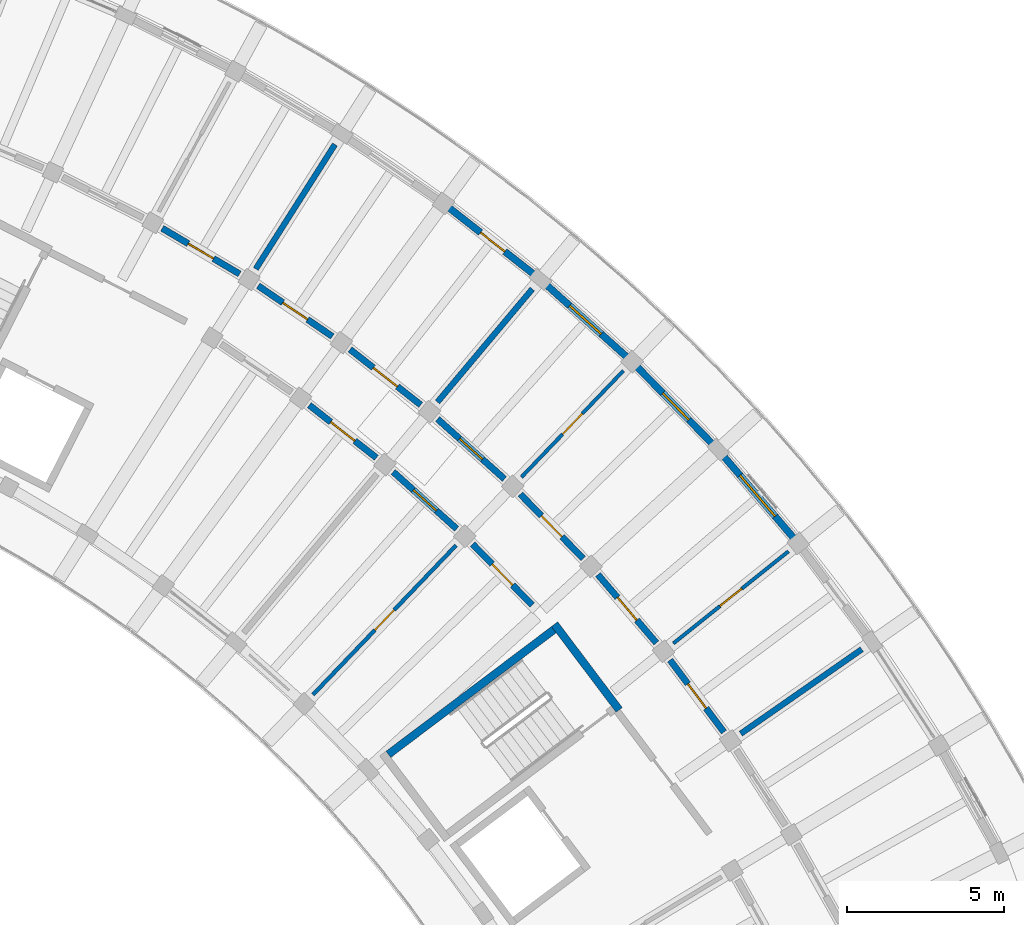
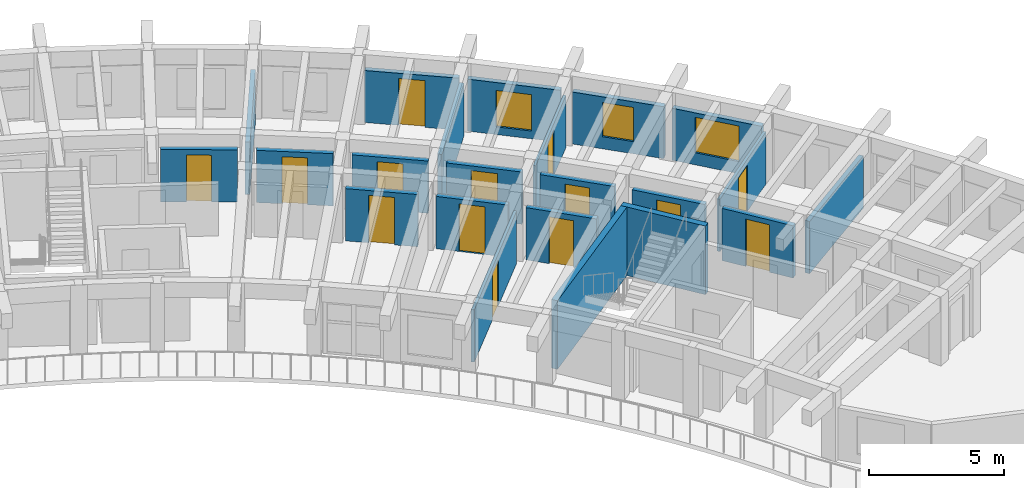
# One storey, part 24 of 36: 22 walls, 14 doors, 3 windows, 17 openings.
"""IFC4 building model written with IfcOpenShell, lengths in metres."""

from ifc_helpers import new_model, si_unit, direction, frame, frame_2d, origin, place, context, subcontext, project, spatial, rectangle, extrude, material, layer, layer_set, type_object, element, fill, save


model = new_model("IFC4")

# Units and contexts
model_context = context("Model", 3, precision=1e-05, world=origin(), true_north=direction((0.0, 1.0)))
body_context = subcontext(model_context, "Body", "Model", "MODEL_VIEW")
ifc_project = project(units=[si_unit("LENGTHUNIT", "METRE"), si_unit("AREAUNIT", "SQUARE_METRE"), si_unit("VOLUMEUNIT", "CUBIC_METRE"), si_unit("PLANEANGLEUNIT", "RADIAN"), si_unit("MASSUNIT", "GRAM", prefix="KILO")], contexts=[model_context])

# Site, building, storey
site_placement = place(None, origin())
site = spatial("IfcSite", under=ifc_project, at=site_placement, CompositionType="ELEMENT")
building_placement = place(site_placement, origin())
building = spatial("IfcBuilding", under=site, at=building_placement, Name="Tanwirah Colonnade Gardens", CompositionType="ELEMENT")
storey_placement = place(building_placement, frame((0.0, 0.0, 39.080078125)))
storey = spatial("IfcBuildingStorey", under=building, at=storey_placement, Name="L11", CompositionType="ELEMENT", Elevation=39.080078125)

# Wall, opening, window
ifc_material_1 = material(Name="Limestone architectural precast concrete C40/50", Category="masonry")
ifc_layer_1 = layer(ifc_material_1, 0.219970703125)
ifc_layer_set_1 = layer_set([ifc_layer_1], Name="Limestone architectural precast concrete C40/50")
wall_type_1 = type_object("IfcWallType", Name="EW-PC220", PredefinedType="SOLIDWALL", material=ifc_layer_set_1)
wall_1_placement = place(storey_placement, frame((167.3466796875, 97.580810546875, 0.0), z_axis=(0.0, 0.0, 1.0), x_axis=(-0.650181863721, 0.759778615183, 0.0)))
wall_1 = element("IfcWall", 1, at=wall_1_placement, inside=storey, type_object=wall_type_1, Name="Block B L11 OUT Precast Facade Wall 6", PredefinedType="SOLIDWALL", context=body_context, shape_type="SweptSolid", body=[
    extrude(rectangle(XDim=3.53076171875, YDim=0.219970703125, at=frame_2d((1.765380859375, 0.0))), origin(), (0.0, 0.0, 1.0), 2.35498046875),
])
opening_1_placement = place(wall_1_placement, frame((0.9052734375, 0.0, 0.550048828125)))
opening_1 = element("IfcOpeningElement", 2, at=opening_1_placement, cuts=wall_1, Name="Opening WIN-U15", PredefinedType="OPENING", context=body_context, shape_type="SweptSolid", body=[
    extrude(rectangle(XDim=1.719970703125, YDim=1.610107421875, at=frame_2d((0.85986328125, 0.80517578125))), frame((0.0, 0.119873046875, 0.0), z_axis=(0.0, -1.0, 0.0), x_axis=(1.0, 0.0, 0.0)), (0.0, 0.0, 1.0), 0.239990234375),
])
ifc_material_2 = material(Name="Thermally broken bronze aluminium and solar low-E double glazing", Category="aluminium")
window_type_1 = type_object("IfcWindowType", Name="WIN-U15", PartitioningType="DOUBLE_PANEL_VERTICAL", PredefinedType="WINDOW", material=ifc_material_2)
window_1_placement = place(opening_1_placement, origin())
window_1 = element("IfcWindow", 3, at=window_1_placement, inside=storey, type_object=window_type_1, Name="Facade window B-L11-OUT-06", OverallHeight=1.610107421875, OverallWidth=1.719970703125, PartitioningType="SINGLE_PANEL", PredefinedType="WINDOW", context=body_context, shape_type="SweptSolid", body=[
    extrude(rectangle(XDim=1.719970703125, YDim=1.610107421875, at=frame_2d((0.85986328125, 0.80517578125))), frame((0.0, 0.030029296875, 0.0), z_axis=(0.0, -1.0, 0.0), x_axis=(1.0, 0.0, 0.0)), (0.0, 0.0, 1.0), 0.06005859375),
])
fill(opening_1, window_1)

wall_2_placement = place(storey_placement, frame((164.82861328125, 100.5068359375, 0.0), z_axis=(0.0, 0.0, 1.0), x_axis=(-0.698865423919, 0.715253185418, 0.0)))
wall_2 = element("IfcWall", 4, at=wall_2_placement, inside=storey, type_object=wall_type_1, Name="Block B L11 OUT Precast Facade Wall 7", PredefinedType="SOLIDWALL", context=body_context, shape_type="SweptSolid", body=[
    extrude(rectangle(XDim=3.53076171875, YDim=0.219970703125, at=frame_2d((1.765380859375, 0.0))), origin(), (0.0, 0.0, 1.0), 2.35498046875),
])
opening_2_placement = place(wall_2_placement, frame((1.165283203125, 0.0, 0.550048828125)))
opening_2 = element("IfcOpeningElement", 5, at=opening_2_placement, cuts=wall_2, Name="Opening WIN-T02", PredefinedType="OPENING", context=body_context, shape_type="SweptSolid", body=[
    extrude(rectangle(XDim=1.199951171875, YDim=1.550048828125, at=frame_2d((0.60009765625, 0.77490234375))), frame((0.0, 0.119873046875, 0.0), z_axis=(0.0, -1.0, 0.0), x_axis=(1.0, 0.0, 0.0)), (0.0, 0.0, 1.0), 0.239990234375),
])
window_type_2 = type_object("IfcWindowType", Name="WIN-T02", PartitioningType="SINGLE_PANEL", PredefinedType="WINDOW", material=ifc_material_2)
window_2_placement = place(opening_2_placement, origin())
window_2 = element("IfcWindow", 6, at=window_2_placement, inside=storey, type_object=window_type_2, Name="Facade window B-L11-OUT-07", OverallHeight=1.550048828125, OverallWidth=1.199951171875, PartitioningType="SINGLE_PANEL", PredefinedType="WINDOW", context=body_context, shape_type="SweptSolid", body=[
    extrude(rectangle(XDim=1.199951171875, YDim=1.550048828125, at=frame_2d((0.60009765625, 0.77490234375))), frame((0.0, 0.030029296875, 0.0), z_axis=(0.0, -1.0, 0.0), x_axis=(1.0, 0.0, 0.0)), (0.0, 0.0, 1.0), 0.06005859375),
])
fill(opening_2, window_2)

wall_3_placement = place(storey_placement, frame((162.029296875, 103.350341796875, 0.0), z_axis=(0.0, 0.0, 1.0), x_axis=(-0.744441433528, 0.667687765386, 0.0)))
wall_3 = element("IfcWall", 7, at=wall_3_placement, inside=storey, type_object=wall_type_1, Name="Block B L11 OUT Precast Facade Wall 8", PredefinedType="SOLIDWALL", context=body_context, shape_type="SweptSolid", body=[
    extrude(rectangle(XDim=3.53076171875, YDim=0.219970703125, at=frame_2d((1.765380859375, 0.0))), origin(), (0.0, 0.0, 1.0), 2.35498046875),
])
opening_3_placement = place(wall_3_placement, frame((1.09033203125, 0.0, 0.35009765625)))
opening_3 = element("IfcOpeningElement", 8, at=opening_3_placement, cuts=wall_3, Name="Opening WIN-T05", PredefinedType="OPENING", context=body_context, shape_type="SweptSolid", body=[
    extrude(rectangle(XDim=1.35009765625, YDim=1.64990234375, at=frame_2d((0.675048828125, 0.824951171875))), frame((0.0, 0.119873046875, 0.0), z_axis=(0.0, -1.0, 0.0), x_axis=(1.0, 0.0, 0.0)), (0.0, 0.0, 1.0), 0.239990234375),
])
window_type_3 = type_object("IfcWindowType", Name="WIN-T05", PartitioningType="DOUBLE_PANEL_VERTICAL", PredefinedType="WINDOW", material=ifc_material_2)
window_3_placement = place(opening_3_placement, origin())
window_3 = element("IfcWindow", 9, at=window_3_placement, inside=storey, type_object=window_type_3, Name="Facade window B-L11-OUT-08", OverallHeight=1.64990234375, OverallWidth=1.35009765625, PartitioningType="SINGLE_PANEL", PredefinedType="WINDOW", context=body_context, shape_type="SweptSolid", body=[
    extrude(rectangle(XDim=1.35009765625, YDim=1.64990234375, at=frame_2d((0.675048828125, 0.824951171875))), frame((0.0, 0.030029296875, 0.0), z_axis=(0.0, -1.0, 0.0), x_axis=(1.0, 0.0, 0.0)), (0.0, 0.0, 1.0), 0.06005859375),
])
fill(opening_3, window_3)

# Wall, opening, door
wall_4_placement = place(storey_placement, frame((159.148193359375, 105.919677734375, 0.0), z_axis=(0.0, 0.0, 1.0), x_axis=(-0.786809962682, 0.617195335873, 0.0)))
wall_4 = element("IfcWall", 10, at=wall_4_placement, inside=storey, type_object=wall_type_1, Name="Block B L11 OUT Precast Facade Wall 9", PredefinedType="SOLIDWALL", context=body_context, shape_type="SweptSolid", body=[
    extrude(rectangle(XDim=3.53076171875, YDim=0.219970703125, at=frame_2d((1.765380859375, 0.0))), origin(), (0.0, 0.0, 1.0), 2.35498046875),
])
opening_4_placement = place(wall_4_placement, frame((1.275390625, 0.0, 0.0)))
opening_4 = element("IfcOpeningElement", 11, at=opening_4_placement, cuts=wall_4, Name="Opening L11-ED119", PredefinedType="OPENING", context=body_context, shape_type="SweptSolid", body=[
    extrude(rectangle(XDim=0.97998046875, YDim=2.1201171875, at=frame_2d((0.489990234375, 1.06005859375))), frame((0.0, 0.119873046875, 0.0), z_axis=(0.0, -1.0, 0.0), x_axis=(1.0, 0.0, 0.0)), (0.0, 0.0, 1.0), 0.239990234375),
])
ifc_material_3 = material(Name="Bronze aluminium glazed balcony door", Category="aluminium")
door_type_1 = type_object("IfcDoorType", Name="ED-BAL098", OperationType="NOTDEFINED", PredefinedType="DOOR", material=ifc_material_3)
door_1_placement = place(opening_4_placement, origin())
door_1 = element("IfcDoor", 12, at=door_1_placement, inside=storey, type_object=door_type_1, Name="Balcony glazed door L11-ED119", OperationType="SINGLE_SWING_LEFT", OverallHeight=2.1201171875, OverallWidth=0.97998046875, PredefinedType="DOOR", context=body_context, shape_type="SweptSolid", body=[
    extrude(rectangle(XDim=0.97998046875, YDim=2.1201171875, at=frame_2d((0.489990234375, 1.06005859375))), frame((0.0, 0.02490234375, 0.0), z_axis=(0.0, -1.0, 0.0), x_axis=(1.0, 0.0, 0.0)), (0.0, 0.0, 1.0), 0.050048828125),
])
fill(opening_4, door_1)

ifc_material_4 = material(Name="Precast concrete C40/50", Category="concrete")
ifc_layer_2 = layer(ifc_material_4, 0.205078125)
ifc_layer_set_2 = layer_set([ifc_layer_2], Name="Precast concrete C40/50")
wall_type_2 = type_object("IfcWallType", Name="IW-CORR205", PredefinedType="PARTITIONING", material=ifc_layer_set_2)
wall_5_placement = place(storey_placement, frame((165.125732421875, 91.396240234375, 0.0), z_axis=(0.0, 0.0, 1.0), x_axis=(-0.598757763243, 0.800930172335, 0.0)))
wall_5 = element("IfcWall", 13, at=wall_5_placement, inside=storey, type_object=wall_type_2, Name="Block B L11 OUT Corridor Wall 5", PredefinedType="PARTITIONING", context=body_context, shape_type="SweptSolid", body=[
    extrude(rectangle(XDim=2.86328125, YDim=0.205078125, at=frame_2d((1.431640625, 0.0))), origin(), (0.0, 0.0, 1.0), 2.369873046875),
])
opening_5_placement = place(wall_5_placement, frame((0.946533203125, 0.0, 0.0)))
opening_5 = element("IfcOpeningElement", 14, at=opening_5_placement, cuts=wall_5, Name="Opening L11-AD1230", PredefinedType="OPENING", context=body_context, shape_type="SweptSolid", body=[
    extrude(rectangle(XDim=0.969970703125, YDim=2.14990234375, at=frame_2d((0.48486328125, 1.074951171875))), frame((0.0, 0.112548828125, 0.0), z_axis=(0.0, -1.0, 0.0), x_axis=(1.0, 0.0, 0.0)), (0.0, 0.0, 1.0), 0.22509765625),
])
ifc_material_5 = material(Name="Solid oak fire-resisting apartment entrance door")
door_type_2 = type_object("IfcDoorType", Name="ID-FLT097", OperationType="NOTDEFINED", PredefinedType="DOOR", material=ifc_material_5)
door_2_placement = place(opening_5_placement, origin())
door_2 = element("IfcDoor", 15, at=door_2_placement, inside=storey, type_object=door_type_2, Name="Apartment corridor door L11-AD1230", OperationType="SINGLE_SWING_LEFT", OverallHeight=2.14990234375, OverallWidth=0.969970703125, PredefinedType="DOOR", context=body_context, shape_type="SweptSolid", body=[
    extrude(rectangle(XDim=0.969970703125, YDim=2.14990234375, at=frame_2d((0.48486328125, 1.074951171875))), frame((0.0, 0.02490234375, 0.0), z_axis=(0.0, -1.0, 0.0), x_axis=(1.0, 0.0, 0.0)), (0.0, 0.0, 1.0), 0.050048828125),
])
fill(opening_5, door_2)

wall_6_placement = place(storey_placement, frame((162.974365234375, 94.23583984375, 0.0), z_axis=(0.0, 0.0, 1.0), x_axis=(-0.650194272684, 0.759767996015, 0.0)))
wall_6 = element("IfcWall", 16, at=wall_6_placement, inside=storey, type_object=wall_type_2, Name="Block B L11 OUT Corridor Wall 6", PredefinedType="PARTITIONING", context=body_context, shape_type="SweptSolid", body=[
    extrude(rectangle(XDim=2.863037109375, YDim=0.205078125, at=frame_2d((1.431640625, 0.0))), origin(), (0.0, 0.0, 1.0), 2.369873046875),
])
opening_6_placement = place(wall_6_placement, frame((0.95654296875, 0.0, 0.0)))
opening_6 = element("IfcOpeningElement", 17, at=opening_6_placement, cuts=wall_6, Name="Opening L11-AD1232", PredefinedType="OPENING", context=body_context, shape_type="SweptSolid", body=[
    extrude(rectangle(XDim=0.949951171875, YDim=2.1298828125, at=frame_2d((0.47509765625, 1.06494140625))), frame((0.0, 0.112548828125, 0.0), z_axis=(0.0, -1.0, 0.0), x_axis=(1.0, 0.0, 0.0)), (0.0, 0.0, 1.0), 0.22509765625),
])
door_type_3 = type_object("IfcDoorType", Name="ID-FLT095", OperationType="NOTDEFINED", PredefinedType="DOOR", material=ifc_material_5)
door_3_placement = place(opening_6_placement, origin())
door_3 = element("IfcDoor", 18, at=door_3_placement, inside=storey, type_object=door_type_3, Name="Apartment corridor door L11-AD1232", OperationType="SINGLE_SWING_RIGHT", OverallHeight=2.1298828125, OverallWidth=0.949951171875, PredefinedType="DOOR", context=body_context, shape_type="SweptSolid", body=[
    extrude(rectangle(XDim=0.949951171875, YDim=2.1298828125, at=frame_2d((0.47509765625, 1.06494140625))), frame((0.0, 0.02490234375, 0.0), z_axis=(0.0, -1.0, 0.0), x_axis=(1.0, 0.0, 0.0)), (0.0, 0.0, 1.0), 0.050048828125),
])
fill(opening_6, door_3)

wall_7_placement = place(storey_placement, frame((160.640625, 96.92724609375, 0.0), z_axis=(0.0, 0.0, 1.0), x_axis=(-0.698787219683, 0.715329589496, 0.0)))
wall_7 = element("IfcWall", 19, at=wall_7_placement, inside=storey, type_object=wall_type_2, Name="Block B L11 OUT Corridor Wall 7", PredefinedType="PARTITIONING", context=body_context, shape_type="SweptSolid", body=[
    extrude(rectangle(XDim=2.863037109375, YDim=0.205078125, at=frame_2d((1.431640625, 0.0))), origin(), (0.0, 0.0, 1.0), 2.369873046875),
])
opening_7_placement = place(wall_7_placement, frame((0.966552734375, 0.0, 0.0)))
opening_7 = element("IfcOpeningElement", 20, at=opening_7_placement, cuts=wall_7, Name="Opening L11-AD1233", PredefinedType="OPENING", context=body_context, shape_type="SweptSolid", body=[
    extrude(rectangle(XDim=0.929931640625, YDim=2.1201171875, at=frame_2d((0.46484375, 1.06005859375))), frame((0.0, 0.112548828125, 0.0), z_axis=(0.0, -1.0, 0.0), x_axis=(1.0, 0.0, 0.0)), (0.0, 0.0, 1.0), 0.22509765625),
])
door_type_4 = type_object("IfcDoorType", Name="ID-FLT093", OperationType="NOTDEFINED", PredefinedType="DOOR", material=ifc_material_5)
door_4_placement = place(opening_7_placement, origin())
door_4 = element("IfcDoor", 21, at=door_4_placement, inside=storey, type_object=door_type_4, Name="Apartment corridor door L11-AD1233", OperationType="SINGLE_SWING_LEFT", OverallHeight=2.1201171875, OverallWidth=0.929931640625, PredefinedType="DOOR", context=body_context, shape_type="SweptSolid", body=[
    extrude(rectangle(XDim=0.929931640625, YDim=2.1201171875, at=frame_2d((0.46484375, 1.06005859375))), frame((0.0, 0.02490234375, 0.0), z_axis=(0.0, -1.0, 0.0), x_axis=(1.0, 0.0, 0.0)), (0.0, 0.0, 1.0), 0.050048828125),
])
fill(opening_7, door_4)

wall_8_placement = place(storey_placement, frame((159.01708984375, 95.442626953125, 0.0), z_axis=(0.0, 0.0, 1.0), x_axis=(-0.698840007829, 0.715278018296, 0.0)))
wall_8 = element("IfcWall", 22, at=wall_8_placement, inside=storey, type_object=wall_type_2, Name="Block B L11 IN Corridor Wall 7", PredefinedType="PARTITIONING", context=body_context, shape_type="SweptSolid", body=[
    extrude(rectangle(XDim=2.718017578125, YDim=0.205078125, at=frame_2d((1.35888671875, 0.0))), origin(), (0.0, 0.0, 1.0), 2.369873046875),
])
opening_8_placement = place(wall_8_placement, frame((0.89404296875, 0.0, 0.0)))
opening_8 = element("IfcOpeningElement", 23, at=opening_8_placement, cuts=wall_8, Name="Opening L11-AD1234", PredefinedType="OPENING", context=body_context, shape_type="SweptSolid", body=[
    extrude(rectangle(XDim=0.929931640625, YDim=2.1201171875, at=frame_2d((0.46484375, 1.06005859375))), frame((0.0, 0.112548828125, 0.0), z_axis=(0.0, -1.0, 0.0), x_axis=(1.0, 0.0, 0.0)), (0.0, 0.0, 1.0), 0.22509765625),
])
door_5_placement = place(opening_8_placement, origin())
door_5 = element("IfcDoor", 24, at=door_5_placement, inside=storey, type_object=door_type_4, Name="Apartment corridor door L11-AD1234", OperationType="SINGLE_SWING_RIGHT", OverallHeight=2.1201171875, OverallWidth=0.929931640625, PredefinedType="DOOR", context=body_context, shape_type="SweptSolid", body=[
    extrude(rectangle(XDim=0.929931640625, YDim=2.1201171875, at=frame_2d((0.46484375, 1.06005859375))), frame((0.0, 0.02490234375, 0.0), z_axis=(0.0, -1.0, 0.0), x_axis=(1.0, 0.0, 0.0)), (0.0, 0.0, 1.0), 0.050048828125),
])
fill(opening_8, door_5)

wall_9_placement = place(storey_placement, frame((158.134765625, 99.459228515625, 0.0), z_axis=(0.0, 0.0, 1.0), x_axis=(-0.744433521088, 0.667696587291, 0.0)))
wall_9 = element("IfcWall", 25, at=wall_9_placement, inside=storey, type_object=wall_type_2, Name="Block B L11 OUT Corridor Wall 8", PredefinedType="PARTITIONING", context=body_context, shape_type="SweptSolid", body=[
    extrude(rectangle(XDim=2.86328125, YDim=0.205078125, at=frame_2d((1.431640625, 0.0))), origin(), (0.0, 0.0, 1.0), 2.369873046875),
])
opening_9_placement = place(wall_9_placement, frame((0.9365234375, 0.0, 0.0)))
opening_9 = element("IfcOpeningElement", 26, at=opening_9_placement, cuts=wall_9, Name="Opening L11-AD1237", PredefinedType="OPENING", context=body_context, shape_type="SweptSolid", body=[
    extrude(rectangle(XDim=0.989990234375, YDim=2.159912109375, at=frame_2d((0.4951171875, 1.080078125))), frame((0.0, 0.112548828125, 0.0), z_axis=(0.0, -1.0, 0.0), x_axis=(1.0, 0.0, 0.0)), (0.0, 0.0, 1.0), 0.22509765625),
])
door_type_5 = type_object("IfcDoorType", Name="ID-FLT099", OperationType="NOTDEFINED", PredefinedType="DOOR", material=ifc_material_5)
door_6_placement = place(opening_9_placement, origin())
door_6 = element("IfcDoor", 27, at=door_6_placement, inside=storey, type_object=door_type_5, Name="Apartment corridor door L11-AD1237", OperationType="SINGLE_SWING_RIGHT", OverallHeight=2.159912109375, OverallWidth=0.989990234375, PredefinedType="DOOR", context=body_context, shape_type="SweptSolid", body=[
    extrude(rectangle(XDim=0.989990234375, YDim=2.159912109375, at=frame_2d((0.4951171875, 1.080078125))), frame((0.0, 0.02490234375, 0.0), z_axis=(0.0, -1.0, 0.0), x_axis=(1.0, 0.0, 0.0)), (0.0, 0.0, 1.0), 0.050048828125),
])
fill(opening_9, door_6)

wall_10_placement = place(storey_placement, frame((156.612548828125, 97.870849609375, 0.0), z_axis=(0.0, 0.0, 1.0), x_axis=(-0.744418559135, 0.667713268413, 0.0)))
wall_10 = element("IfcWall", 28, at=wall_10_placement, inside=storey, type_object=wall_type_2, Name="Block B L11 IN Corridor Wall 8", PredefinedType="PARTITIONING", context=body_context, shape_type="SweptSolid", body=[
    extrude(rectangle(XDim=2.71826171875, YDim=0.205078125, at=frame_2d((1.359130859375, 0.0))), origin(), (0.0, 0.0, 1.0), 2.369873046875),
])
opening_10_placement = place(wall_10_placement, frame((0.864013671875, 0.0, 0.0)))
opening_10 = element("IfcOpeningElement", 29, at=opening_10_placement, cuts=wall_10, Name="Opening L11-AD1238", PredefinedType="OPENING", context=body_context, shape_type="SweptSolid", body=[
    extrude(rectangle(XDim=0.989990234375, YDim=2.159912109375, at=frame_2d((0.4951171875, 1.080078125))), frame((0.0, 0.112548828125, 0.0), z_axis=(0.0, -1.0, 0.0), x_axis=(1.0, 0.0, 0.0)), (0.0, 0.0, 1.0), 0.22509765625),
])
door_7_placement = place(opening_10_placement, origin())
door_7 = element("IfcDoor", 30, at=door_7_placement, inside=storey, type_object=door_type_5, Name="Apartment corridor door L11-AD1238", OperationType="SINGLE_SWING_LEFT", OverallHeight=2.159912109375, OverallWidth=0.989990234375, PredefinedType="DOOR", context=body_context, shape_type="SweptSolid", body=[
    extrude(rectangle(XDim=0.989990234375, YDim=2.159912109375, at=frame_2d((0.4951171875, 1.080078125))), frame((0.0, 0.02490234375, 0.0), z_axis=(0.0, -1.0, 0.0), x_axis=(1.0, 0.0, 0.0)), (0.0, 0.0, 1.0), 0.050048828125),
])
fill(opening_10, door_7)

wall_11_placement = place(storey_placement, frame((155.46728515625, 101.82080078125, 0.0), z_axis=(0.0, 0.0, 1.0), x_axis=(-0.786806323554, 0.617199975061, 0.0)))
wall_11 = element("IfcWall", 31, at=wall_11_placement, inside=storey, type_object=wall_type_2, Name="Block B L11 OUT Corridor Wall 9", PredefinedType="PARTITIONING", context=body_context, shape_type="SweptSolid", body=[
    extrude(rectangle(XDim=2.863037109375, YDim=0.205078125, at=frame_2d((1.431640625, 0.0))), origin(), (0.0, 0.0, 1.0), 2.369873046875),
])
opening_11_placement = place(wall_11_placement, frame((0.946533203125, 0.0, 0.0)))
opening_11 = element("IfcOpeningElement", 32, at=opening_11_placement, cuts=wall_11, Name="Opening L11-AD1239", PredefinedType="OPENING", context=body_context, shape_type="SweptSolid", body=[
    extrude(rectangle(XDim=0.969970703125, YDim=2.14990234375, at=frame_2d((0.48486328125, 1.074951171875))), frame((0.0, 0.112548828125, 0.0), z_axis=(0.0, -1.0, 0.0), x_axis=(1.0, 0.0, 0.0)), (0.0, 0.0, 1.0), 0.22509765625),
])
door_8_placement = place(opening_11_placement, origin())
door_8 = element("IfcDoor", 33, at=door_8_placement, inside=storey, type_object=door_type_2, Name="Apartment corridor door L11-AD1239", OperationType="SINGLE_SWING_LEFT", OverallHeight=2.14990234375, OverallWidth=0.969970703125, PredefinedType="DOOR", context=body_context, shape_type="SweptSolid", body=[
    extrude(rectangle(XDim=0.969970703125, YDim=2.14990234375, at=frame_2d((0.48486328125, 1.074951171875))), frame((0.0, 0.02490234375, 0.0), z_axis=(0.0, -1.0, 0.0), x_axis=(1.0, 0.0, 0.0)), (0.0, 0.0, 1.0), 0.050048828125),
])
fill(opening_11, door_8)

wall_12_placement = place(storey_placement, frame((154.05322265625, 100.135498046875, 0.0), z_axis=(0.0, 0.0, 1.0), x_axis=(-0.786835457019, 0.617162833924, 0.0)))
wall_12 = element("IfcWall", 34, at=wall_12_placement, inside=storey, type_object=wall_type_2, Name="Block B L11 IN Corridor Wall 9", PredefinedType="PARTITIONING", context=body_context, shape_type="SweptSolid", body=[
    extrude(rectangle(XDim=2.718017578125, YDim=0.205078125, at=frame_2d((1.35888671875, 0.0))), origin(), (0.0, 0.0, 1.0), 2.369873046875),
])
opening_12_placement = place(wall_12_placement, frame((0.8740234375, 0.0, 0.0)))
opening_12 = element("IfcOpeningElement", 35, at=opening_12_placement, cuts=wall_12, Name="Opening L11-AD1240", PredefinedType="OPENING", context=body_context, shape_type="SweptSolid", body=[
    extrude(rectangle(XDim=0.969970703125, YDim=2.14990234375, at=frame_2d((0.48486328125, 1.074951171875))), frame((0.0, 0.112548828125, 0.0), z_axis=(0.0, -1.0, 0.0), x_axis=(1.0, 0.0, 0.0)), (0.0, 0.0, 1.0), 0.22509765625),
])
door_9_placement = place(opening_12_placement, origin())
door_9 = element("IfcDoor", 36, at=door_9_placement, inside=storey, type_object=door_type_2, Name="Apartment corridor door L11-AD1240", OperationType="SINGLE_SWING_RIGHT", OverallHeight=2.14990234375, OverallWidth=0.969970703125, PredefinedType="DOOR", context=body_context, shape_type="SweptSolid", body=[
    extrude(rectangle(XDim=0.969970703125, YDim=2.14990234375, at=frame_2d((0.48486328125, 1.074951171875))), frame((0.0, 0.02490234375, 0.0), z_axis=(0.0, -1.0, 0.0), x_axis=(1.0, 0.0, 0.0)), (0.0, 0.0, 1.0), 0.050048828125),
])
fill(opening_12, door_9)

wall_13_placement = place(storey_placement, frame((152.650146484375, 104.001220703125, 0.0), z_axis=(0.0, 0.0, 1.0), x_axis=(-0.825779671787, 0.563992848947, 0.0)))
wall_13 = element("IfcWall", 37, at=wall_13_placement, inside=storey, type_object=wall_type_2, Name="Block B L11 OUT Corridor Wall 10", PredefinedType="PARTITIONING", context=body_context, shape_type="SweptSolid", body=[
    extrude(rectangle(XDim=2.863037109375, YDim=0.205078125, at=frame_2d((1.431640625, 0.0))), origin(), (0.0, 0.0, 1.0), 2.369873046875),
])
opening_13_placement = place(wall_13_placement, frame((0.95654296875, 0.0, 0.0)))
opening_13 = element("IfcOpeningElement", 38, at=opening_13_placement, cuts=wall_13, Name="Opening L11-AD1241", PredefinedType="OPENING", context=body_context, shape_type="SweptSolid", body=[
    extrude(rectangle(XDim=0.949951171875, YDim=2.1298828125, at=frame_2d((0.47509765625, 1.06494140625))), frame((0.0, 0.112548828125, 0.0), z_axis=(0.0, -1.0, 0.0), x_axis=(1.0, 0.0, 0.0)), (0.0, 0.0, 1.0), 0.22509765625),
])
door_10_placement = place(opening_13_placement, origin())
door_10 = element("IfcDoor", 39, at=door_10_placement, inside=storey, type_object=door_type_3, Name="Apartment corridor door L11-AD1241", OperationType="SINGLE_SWING_RIGHT", OverallHeight=2.1298828125, OverallWidth=0.949951171875, PredefinedType="DOOR", context=body_context, shape_type="SweptSolid", body=[
    extrude(rectangle(XDim=0.949951171875, YDim=2.1298828125, at=frame_2d((0.47509765625, 1.06494140625))), frame((0.0, 0.02490234375, 0.0), z_axis=(0.0, -1.0, 0.0), x_axis=(1.0, 0.0, 0.0)), (0.0, 0.0, 1.0), 0.050048828125),
])
fill(opening_13, door_10)

wall_14_placement = place(storey_placement, frame((149.6953125, 105.991455078125, 0.0), z_axis=(0.0, 0.0, 1.0), x_axis=(-0.861113214678, 0.508413248753, 0.0)))
wall_14 = element("IfcWall", 40, at=wall_14_placement, inside=storey, type_object=wall_type_2, Name="Block B L11 OUT Corridor Wall 11", PredefinedType="PARTITIONING", context=body_context, shape_type="SweptSolid", body=[
    extrude(rectangle(XDim=2.863037109375, YDim=0.205078125, at=frame_2d((1.431640625, 0.0))), origin(), (0.0, 0.0, 1.0), 2.369873046875),
])
opening_14_placement = place(wall_14_placement, frame((0.966552734375, 0.0, 0.0)))
opening_14 = element("IfcOpeningElement", 41, at=opening_14_placement, cuts=wall_14, Name="Opening L11-AD1243", PredefinedType="OPENING", context=body_context, shape_type="SweptSolid", body=[
    extrude(rectangle(XDim=0.929931640625, YDim=2.1201171875, at=frame_2d((0.46484375, 1.06005859375))), frame((0.0, 0.112548828125, 0.0), z_axis=(0.0, -1.0, 0.0), x_axis=(1.0, 0.0, 0.0)), (0.0, 0.0, 1.0), 0.22509765625),
])
door_11_placement = place(opening_14_placement, origin())
door_11 = element("IfcDoor", 42, at=door_11_placement, inside=storey, type_object=door_type_4, Name="Apartment corridor door L11-AD1243", OperationType="SINGLE_SWING_LEFT", OverallHeight=2.1201171875, OverallWidth=0.929931640625, PredefinedType="DOOR", context=body_context, shape_type="SweptSolid", body=[
    extrude(rectangle(XDim=0.929931640625, YDim=2.1201171875, at=frame_2d((0.46484375, 1.06005859375))), frame((0.0, 0.02490234375, 0.0), z_axis=(0.0, -1.0, 0.0), x_axis=(1.0, 0.0, 0.0)), (0.0, 0.0, 1.0), 0.050048828125),
])
fill(opening_14, door_11)

# Walls
ifc_layer_3 = layer(ifc_material_4, 0.18505859375)
ifc_layer_set_3 = layer_set([ifc_layer_3], Name="Precast concrete C40/50")
wall_type_3 = type_object("IfcWallType", Name="IW-DEM185", PredefinedType="PARTITIONING", material=ifc_layer_set_3)
for number, where, z_axis, x_axis, name in (
    (43, (165.663330078125, 91.3447265625, 0.0), (0.0, 0.0, 1.0), (0.820272617205, 0.571972755876, 0.0), "Block B L11 Radial Partition 4"),
    (44, (155.999755859375, 101.9111328125, 0.0), (0.0, 0.0, 1.0), (0.642811926223, 0.766024038465, 0.0), "Block B L11 Radial Partition 8"),
    (45, (150.21142578125, 106.151123046875, 0.0), (0.0, 0.0, 1.0), (0.536492262982, 0.843905238614, 0.0), "Block B L11 Radial Partition 10"),
):
    element("IfcWall", number, at=place(storey_placement, frame(where, z_axis=z_axis, x_axis=x_axis)), inside=storey, type_object=wall_type_3, Name=name, PredefinedType="PARTITIONING", context=body_context, shape_type="SweptSolid", body=[
        extrude(rectangle(XDim=4.699951171875, YDim=0.18505859375, at=frame_2d((2.35009765625, 0.0))), origin(), (0.0, 0.0, 1.0), 2.369873046875),
    ])

# Wall, opening, door
ifc_material_6 = material(Name="Acoustic gypsum stud partition")
ifc_layer_4 = layer(ifc_material_6, 0.114990234375)
ifc_layer_set_4 = layer_set([ifc_layer_4], Name="Acoustic gypsum stud partition")
wall_type_4 = type_object("IfcWallType", Name="IW-INT115", PredefinedType="PARTITIONING", material=ifc_layer_set_4)
wall_15_placement = place(storey_placement, frame((163.51416015625, 94.2197265625, 0.0), z_axis=(0.0, 0.0, 1.0), x_axis=(0.780807994362, 0.624771058821, 0.0)))
wall_15 = element("IfcWall", 46, at=wall_15_placement, inside=storey, type_object=wall_type_4, Name="Block B L11 Radial Partition 5", PredefinedType="PARTITIONING", context=body_context, shape_type="SweptSolid", body=[
    extrude(rectangle(XDim=4.7001953125, YDim=0.114990234375, at=frame_2d((2.35009765625, 0.0))), origin(), (0.0, 0.0, 1.0), 2.369873046875),
])
opening_15_placement = place(wall_15_placement, frame((1.905029296875, 0.0, 0.0)))
opening_15 = element("IfcOpeningElement", 47, at=opening_15_placement, cuts=wall_15, Name="Opening L11-RD1231", PredefinedType="OPENING", context=body_context, shape_type="SweptSolid", body=[
    extrude(rectangle(XDim=0.889892578125, YDim=2.10009765625, at=frame_2d((0.44482421875, 1.050048828125))), frame((0.0, 0.0673828125, 0.0), z_axis=(0.0, -1.0, 0.0), x_axis=(1.0, 0.0, 0.0)), (0.0, 0.0, 1.0), 0.135009765625),
])
ifc_material_7 = material(Name="Painted hardwood bedroom door", Category="wood")
door_type_6 = type_object("IfcDoorType", Name="ID-RM089", OperationType="NOTDEFINED", PredefinedType="DOOR", material=ifc_material_7)
door_12_placement = place(opening_15_placement, origin())
door_12 = element("IfcDoor", 48, at=door_12_placement, inside=storey, type_object=door_type_6, Name="Internal apartment door L11-RD1231", OperationType="SINGLE_SWING_LEFT", OverallHeight=2.10009765625, OverallWidth=0.889892578125, PredefinedType="DOOR", context=body_context, shape_type="SweptSolid", body=[
    extrude(rectangle(XDim=0.889892578125, YDim=2.10009765625, at=frame_2d((0.44482421875, 1.050048828125))), frame((0.0, 0.02490234375, 0.0), z_axis=(0.0, -1.0, 0.0), x_axis=(1.0, 0.0, 0.0)), (0.0, 0.0, 1.0), 0.050048828125),
])
fill(opening_15, door_12)

wall_16_placement = place(storey_placement, frame((158.671875, 99.514404296875, 0.0), z_axis=(0.0, 0.0, 1.0), x_axis=(0.691855720025, 0.722035776585, 0.0)))
wall_16 = element("IfcWall", 49, at=wall_16_placement, inside=storey, type_object=wall_type_4, Name="Block B L11 Radial Partition 7", PredefinedType="PARTITIONING", context=body_context, shape_type="SweptSolid", body=[
    extrude(rectangle(XDim=4.699951171875, YDim=0.114990234375, at=frame_2d((2.35009765625, 0.0))), origin(), (0.0, 0.0, 1.0), 2.369873046875),
])
opening_16_placement = place(wall_16_placement, frame((1.89501953125, 0.0, 0.0)))
opening_16 = element("IfcOpeningElement", 50, at=opening_16_placement, cuts=wall_16, Name="Opening L11-RD1235", PredefinedType="OPENING", context=body_context, shape_type="SweptSolid", body=[
    extrude(rectangle(XDim=0.909912109375, YDim=2.10009765625, at=frame_2d((0.455078125, 1.050048828125))), frame((0.0, 0.0673828125, 0.0), z_axis=(0.0, -1.0, 0.0), x_axis=(1.0, 0.0, 0.0)), (0.0, 0.0, 1.0), 0.135009765625),
])
ifc_material_8 = material(Name="Painted hardwood internal room door", Category="wood")
door_type_7 = type_object("IfcDoorType", Name="ID-RM091", OperationType="NOTDEFINED", PredefinedType="DOOR", material=ifc_material_8)
door_13_placement = place(opening_16_placement, origin())
door_13 = element("IfcDoor", 51, at=door_13_placement, inside=storey, type_object=door_type_7, Name="Internal apartment door L11-RD1235", OperationType="SINGLE_SWING_LEFT", OverallHeight=2.10009765625, OverallWidth=0.909912109375, PredefinedType="DOOR", context=body_context, shape_type="SweptSolid", body=[
    extrude(rectangle(XDim=0.909912109375, YDim=2.10009765625, at=frame_2d((0.455078125, 1.050048828125))), frame((0.0, 0.02490234375, 0.0), z_axis=(0.0, -1.0, 0.0), x_axis=(1.0, 0.0, 0.0)), (0.0, 0.0, 1.0), 0.050048828125),
])
fill(opening_16, door_13)

ifc_material_9 = material(Name="Moisture-resistant gypsum stud partition")
ifc_layer_5 = layer(ifc_material_9, 0.125)
ifc_layer_set_5 = layer_set([ifc_layer_5], Name="Moisture-resistant gypsum stud partition")
wall_type_5 = type_object("IfcWallType", Name="IW-INT125", PredefinedType="PARTITIONING", material=ifc_layer_set_5)
wall_17_placement = place(storey_placement, frame((152.030029296875, 92.5830078125, 0.0), z_axis=(0.0, 0.0, 1.0), x_axis=(0.691872422458, 0.722019771919, 0.0)))
wall_17 = element("IfcWall", 52, at=wall_17_placement, inside=storey, type_object=wall_type_5, Name="Block B L11 Inner Radial Partition 7", PredefinedType="PARTITIONING", context=body_context, shape_type="SweptSolid", body=[
    extrude(rectangle(XDim=6.60009765625, YDim=0.125, at=frame_2d((3.300048828125, 0.0))), origin(), (0.0, 0.0, 1.0), 2.369873046875),
])
opening_17_placement = place(wall_17_placement, frame((2.85498046875, 0.0, 0.0)))
opening_17 = element("IfcOpeningElement", 53, at=opening_17_placement, cuts=wall_17, Name="Opening L11-RD1236", PredefinedType="OPENING", context=body_context, shape_type="SweptSolid", body=[
    extrude(rectangle(XDim=0.889892578125, YDim=2.10009765625, at=frame_2d((0.44482421875, 1.050048828125))), frame((0.0, 0.072509765625, 0.0), z_axis=(0.0, -1.0, 0.0), x_axis=(1.0, 0.0, 0.0)), (0.0, 0.0, 1.0), 0.14501953125),
])
door_14_placement = place(opening_17_placement, origin())
door_14 = element("IfcDoor", 54, at=door_14_placement, inside=storey, type_object=door_type_6, Name="Internal apartment door L11-RD1236", OperationType="SINGLE_SWING_RIGHT", OverallHeight=2.10009765625, OverallWidth=0.889892578125, PredefinedType="DOOR", context=body_context, shape_type="SweptSolid", body=[
    extrude(rectangle(XDim=0.889892578125, YDim=2.10009765625, at=frame_2d((0.44482421875, 1.050048828125))), frame((0.0, 0.02490234375, 0.0), z_axis=(0.0, -1.0, 0.0), x_axis=(1.0, 0.0, 0.0)), (0.0, 0.0, 1.0), 0.050048828125),
])
fill(opening_17, door_14)

# Walls
ifc_material_10 = material(Name="Concrete C45/55", Category="concrete")
ifc_layer_6 = layer(ifc_material_10, 0.25)
ifc_layer_set_6 = layer_set([ifc_layer_6], Name="Concrete C45/55")
wall_type_6 = type_object("IfcWallType", Name="SW-CORE250", PredefinedType="SHEAR", material=ifc_layer_set_6)
wall_18_placement = place(storey_placement, frame((159.706787109375, 94.657958984375, 0.0), z_axis=(0.0, 0.0, 1.0), x_axis=(-0.798639633744, -0.601809550782, 0.0)))
element("IfcWall", 55, at=wall_18_placement, inside=storey, type_object=wall_type_6, Name="CORE-B1 L11 Stair Shaft Shear Wall LEFT", PredefinedType="SHEAR", context=body_context, shape_type="SweptSolid", body=[
    extrude(rectangle(XDim=6.599853515625, YDim=0.25, at=frame_2d((3.2998046875, 0.0))), origin(), (0.0, 0.0, 1.0), 3.10986328125),
])
wall_19_placement = place(storey_placement, frame((159.7314453125, 94.8330078125, 0.0), z_axis=(0.0, 0.0, 1.0), x_axis=(0.601814606132, -0.798635824294, 0.0)))
element("IfcWall", 56, at=wall_19_placement, inside=storey, type_object=wall_type_6, Name="CORE-B1 L11 Stair Shaft Shear Wall NEAR", PredefinedType="SHEAR", context=body_context, shape_type="SweptSolid", body=[
    extrude(rectangle(XDim=3.419921875, YDim=0.25, at=frame_2d((1.7099609375, 0.0))), origin(), (0.0, 0.0, 1.0), 3.10986328125),
])

save(model, "model.ifc")
